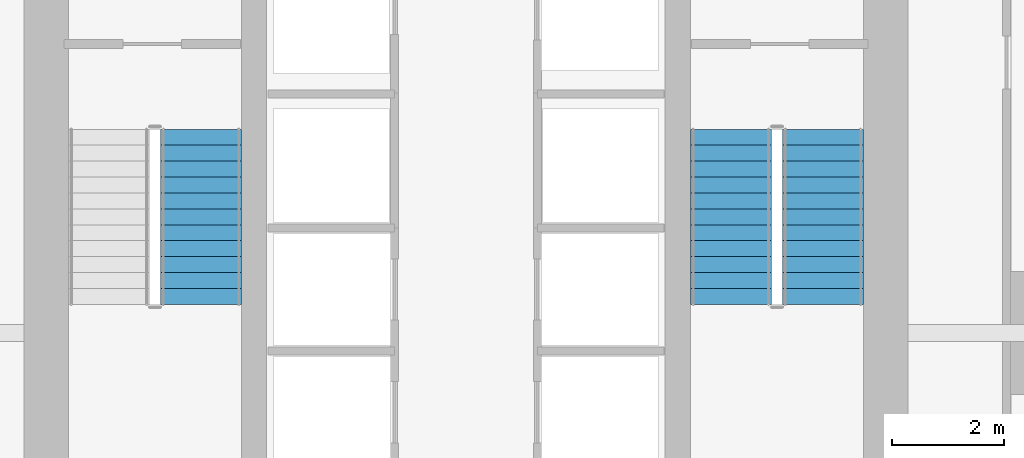
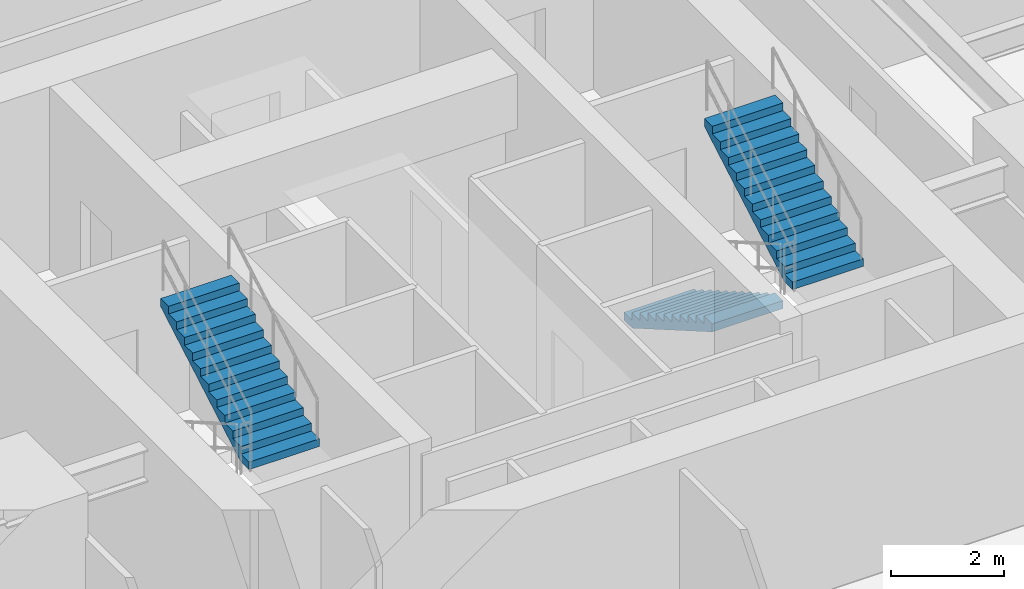
# One storey, part 27 of 30: 3 stair flights, 2 elements without a shape of their own.
"""IFC4 building model written with IfcOpenShell, lengths in metres."""

import ifcopenshell
import ifcopenshell.guid

model = None  # the IFC model being written
_history = None  # IfcOwnerHistory: only IFC2X3 demands one
_inside = {}  # id of a spatial element -> (the spatial element, [elements in it])
_under = {}  # id of a project, library or spatial element -> (it, [spatial elements below it])
_declared = {}  # id of a project -> (the project, [libraries it declares])
_typed = {}  # id of a type object -> (the type object, [elements of that type])
_made_of = {}  # id of a material, layer set ... -> (it, [elements and type objects made of it])


def new_model(schema):
    """Start an empty IFC model of exactly this schema.

    Asked for "IFC4X3", IfcOpenShell would pick the latest addendum, in which some entities
    have other attributes; the version numbers below select the first issue.
    IFC2X3 requires an IfcOwnerHistory on every rooted entity: one is made here for all.
    """
    global model, _history
    if schema == "IFC4X3":
        model = ifcopenshell.file(schema_version=(4, 3, 0, 0))
    else:
        model = ifcopenshell.file(schema=schema)
    _inside.clear()
    _under.clear()
    _declared.clear()
    _typed.clear()
    _made_of.clear()
    _history = None
    if model.schema == "IFC2X3":
        org = make("IfcOrganization", Name="unknown")
        user = make(
            "IfcPersonAndOrganization",
            ThePerson=make("IfcPerson", FamilyName="unknown"),
            TheOrganization=org,
        )
        app = make(
            "IfcApplication",
            ApplicationDeveloper=org,
            Version="unknown",
            ApplicationFullName="unknown",
            ApplicationIdentifier="unknown",
        )
        _history = make(
            "IfcOwnerHistory",
            OwningUser=user,
            OwningApplication=app,
            ChangeAction="ADDED",
            CreationDate=0,
        )
    return model


def make(cls, **values):
    """One entity of the class cls with the attributes given. An attribute that is None is left unset."""
    return model.create_entity(
        cls, **{name: value for name, value in values.items() if value is not None}
    )


def rooted(cls, **values):
    """An entity with a GlobalId (a new one), such as an element, a storey or a relation."""
    return make(cls, GlobalId=ifcopenshell.guid.new(), OwnerHistory=_history, **values)


def si_unit(unit_type, name, prefix=None):
    """IfcSIUnit, for example si_unit("LENGTHUNIT", "METRE", prefix="MILLI")."""
    return make("IfcSIUnit", UnitType=unit_type, Prefix=prefix, Name=name)


def assignment(units):
    """IfcUnitAssignment: the units of a project."""
    return None if units is None else make("IfcUnitAssignment", Units=units)


def point(xyz):
    """IfcCartesianPoint."""
    return None if xyz is None else make("IfcCartesianPoint", Coordinates=xyz)


def direction(xyz):
    """IfcDirection."""
    return None if xyz is None else make("IfcDirection", DirectionRatios=xyz)


def frame(location, z_axis=None, x_axis=None):
    """IfcAxis2Placement3D, a coordinate frame: its origin and axes. An axis left out is left unset."""
    return make(
        "IfcAxis2Placement3D",
        Location=point(location),
        Axis=direction(z_axis),
        RefDirection=direction(x_axis),
    )


def origin():
    """The frame at (0, 0, 0) with its axes left unset."""
    return frame((0.0, 0.0, 0.0))


def place(relative_to, where):
    """IfcLocalPlacement: puts the frame where relative to a parent placement (None: the world)."""
    return make(
        "IfcLocalPlacement", PlacementRelTo=relative_to, RelativePlacement=where
    )


def context(
    kind, dimensions, precision=None, world=None, true_north=None, identifier=None
):
    """IfcGeometricRepresentationContext, for example the 3D "Model" context."""
    return make(
        "IfcGeometricRepresentationContext",
        ContextIdentifier=identifier,
        ContextType=kind,
        CoordinateSpaceDimension=dimensions,
        Precision=precision,
        WorldCoordinateSystem=world,
        TrueNorth=true_north,
    )


def subcontext(parent, identifier, kind, view, scale=None):
    """IfcGeometricRepresentationSubContext, for example "Body" below "Model"."""
    return make(
        "IfcGeometricRepresentationSubContext",
        ContextIdentifier=identifier,
        ContextType=kind,
        ParentContext=parent,
        TargetScale=scale,
        TargetView=view,
    )


def project(units=None, contexts=None):
    """IfcProject with its units and contexts."""
    return rooted(
        "IfcProject",
        Name="project",
        RepresentationContexts=contexts,
        UnitsInContext=assignment(units),
    )


def spatial(cls, under=None, at=None, **own):
    """A site, building, storey or space (cls), placed at a placement, below another one or the project."""
    s = rooted(cls, ObjectPlacement=at, **own)
    if under is not None:
        _under.setdefault(under.id(), (under, []))[1].append(s)
    return s


def polyline(points):
    """IfcPolyline through the points."""
    return make("IfcPolyline", Points=[point(p) for p in points])


def outline(outer, holes=None, kind="AREA"):
    """IfcArbitraryClosedProfileDef: a profile drawn as a closed curve; with holes, ...WithVoids."""
    if holes is None:
        return make("IfcArbitraryClosedProfileDef", ProfileType=kind, OuterCurve=outer)
    return make(
        "IfcArbitraryProfileDefWithVoids",
        ProfileType=kind,
        OuterCurve=outer,
        InnerCurves=holes,
    )


def extrude(swept, where, along, depth):
    """IfcExtrudedAreaSolid: the profile swept, set in the frame where, extruded along a direction by depth."""
    return make(
        "IfcExtrudedAreaSolid",
        SweptArea=swept,
        Position=where,
        ExtrudedDirection=direction(along),
        Depth=depth,
    )


def shape(context_of_items, identifier, shape_type, items):
    """IfcShapeRepresentation: the items that make up one representation, for example the "Body"."""
    return make(
        "IfcShapeRepresentation",
        ContextOfItems=context_of_items,
        RepresentationIdentifier=identifier,
        RepresentationType=shape_type,
        Items=items,
    )


def material(Name=None, Category=None):
    """IfcMaterial."""
    return make("IfcMaterial", Name=Name, Category=Category)


def made_of(thing, what):
    """Note that an element or type object is made of a material, layer set ...; save() writes the relation."""
    if what is not None:
        _made_of.setdefault(what.id(), (what, []))[1].append(thing)
    return thing


def type_object(cls, material=None, **own):
    """A type object (cls), such as IfcWallType, which elements share."""
    return made_of(rooted(cls, **own), material)


def element(
    cls,
    number,
    at=None,
    inside=None,
    cuts=None,
    type_object=None,
    material=None,
    context=None,
    identifier="Body",
    shape_type=None,
    held_by="IfcProductDefinitionShape",
    body=None,
    shapes=None,
    **own,
):
    """One element of the class cls, such as IfcWall. Its Tag is "e" and its number.

    at: its placement. inside: the storey or other place that contains it. cuts: it is an
    opening in that element (IfcRelVoidsElement). A single representation is given by context,
    identifier, shape_type and body (its items); several are given by shapes. held_by: the class
    of the entity that holds the representations. save() writes the other relations.
    """
    e = rooted(cls, Tag="e%d" % number, ObjectPlacement=at, **own)
    if body is not None:
        shapes = [shape(context, identifier, shape_type, body)]
    if shapes is not None:
        e.Representation = make(held_by, Representations=shapes)
    if inside is not None:
        _inside.setdefault(inside.id(), (inside, []))[1].append(e)
    if cuts is not None:
        rooted(
            "IfcRelVoidsElement", RelatingBuildingElement=cuts, RelatedOpeningElement=e
        )
    if type_object is not None:
        _typed.setdefault(type_object.id(), (type_object, []))[1].append(e)
    return made_of(e, material)


def aggregate(whole, parts):
    """IfcRelAggregates: a whole, such as a stair, and the parts it consists of."""
    return rooted("IfcRelAggregates", RelatingObject=whole, RelatedObjects=parts)


def save(model, path):
    """Write the relations noted so far, then the file.

    IfcRelAggregates (storeys below a building ...), IfcRelContainedInSpatialStructure (elements
    in a storey), IfcRelDefinesByType, IfcRelAssociatesMaterial and IfcRelDeclares: one each for
    every whole, place, type object, material and project.
    """
    for whole, parts in _under.values():
        aggregate(whole, parts)
    for where, things in _inside.values():
        rooted(
            "IfcRelContainedInSpatialStructure",
            RelatedElements=things,
            RelatingStructure=where,
        )
    for kind, things in _typed.values():
        rooted("IfcRelDefinesByType", RelatedObjects=things, RelatingType=kind)
    for what, things in _made_of.values():
        rooted("IfcRelAssociatesMaterial", RelatedObjects=things, RelatingMaterial=what)
    for by, libraries in _declared.values():
        rooted("IfcRelDeclares", RelatingContext=by, RelatedDefinitions=libraries)
    model.write(path)


model = new_model("IFC4")

# Units and contexts
model_context = context("Model", 3, precision=1e-05, world=origin(), true_north=direction((0.0, 1.0)))
body_context = subcontext(model_context, "Body", "Model", "MODEL_VIEW")
ifc_project = project(units=[si_unit("LENGTHUNIT", "METRE"), si_unit("AREAUNIT", "SQUARE_METRE"), si_unit("VOLUMEUNIT", "CUBIC_METRE"), si_unit("PLANEANGLEUNIT", "RADIAN"), si_unit("MASSUNIT", "GRAM", prefix="KILO")], contexts=[model_context])

# Site, building, storey
site_placement = place(None, origin())
site = spatial("IfcSite", under=ifc_project, at=site_placement, CompositionType="ELEMENT")
building_placement = place(site_placement, origin())
building = spatial("IfcBuilding", under=site, at=building_placement, Name="Krantzveldt Concourse Tower", CompositionType="ELEMENT")
storey_placement = place(building_placement, frame((0.0, 0.0, 25.0)))
storey = spatial("IfcBuildingStorey", under=building, at=storey_placement, Name="L05", CompositionType="ELEMENT", Elevation=25.0)

# Stair, stair flight
ifc_material = material(Name="Precast concrete C40/50", Category="concrete")
stair_type = type_object("IfcStairType", Name="STR-CORE-DOGLEG", PredefinedType="HALF_TURN_STAIR", material=ifc_material)
stair_1_placement = place(storey_placement, origin())
stair_1 = element("IfcStair", 1, at=stair_1_placement, inside=storey, type_object=stair_type, Name="L05 Protected Escape Stair ST-1", PredefinedType="HALF_TURN_STAIR")
stair_flight_type = type_object("IfcStairFlightType", Name="STF-CORE-1450", PredefinedType="STRAIGHT", material=ifc_material)
stair_flight_1_placement = place(storey_placement, frame((31.2548828125, 16.4150390625, 1.97509765625), z_axis=(0.0, 0.0, 1.0), x_axis=(0.0, 1.0, 0.0)))
stair_flight_1 = element("IfcStairFlight", 2, at=stair_flight_1_placement, type_object=stair_flight_type, Name="ST-1 flight 2", NumberOfRisers=12, NumberOfTreads=11, PredefinedType="STRAIGHT", RiserHeight=0.164583333, TreadLength=0.285, context=body_context, shape_type="SweptSolid", body=[
    extrude(outline(polyline([(0.0, 0.0), (0.0, 0.16455078125), (0.284912109375, 0.16455078125), (0.284912109375, 0.3291015625), (0.570068359375, 0.3291015625), (0.570068359375, 0.49365234375), (0.85498046875, 0.49365234375), (0.85498046875, 0.658447265625), (1.139892578125, 0.658447265625), (1.139892578125, 0.822998046875), (1.425048828125, 0.822998046875), (1.425048828125, 0.987548828125), (1.7099609375, 0.987548828125), (1.7099609375, 1.152099609375), (1.9951171875, 1.152099609375), (1.9951171875, 1.316650390625), (2.280029296875, 1.316650390625), (2.280029296875, 1.481201171875), (2.56494140625, 1.481201171875), (2.56494140625, 1.645751953125), (2.85009765625, 1.645751953125), (2.85009765625, 1.810302734375), (3.135009765625, 1.810302734375), (3.135009765625, 1.97509765625), (3.135009765625, 1.63720703125), (0.2998046875, 0.0), (0.0, 0.0)])), frame((0.0, 0.72509765625, 0.0), z_axis=(0.0, -1.0, 0.0), x_axis=(1.0, 0.0, 0.0)), (0.0, 0.0, 1.0), 1.449951171875),
])
aggregate(stair_1, [stair_flight_1])

# Stair, stair flights
stair_2_placement = place(storey_placement, origin())
stair_2 = element("IfcStair", 3, at=stair_2_placement, inside=storey, type_object=stair_type, Name="L05 Protected Escape Stair ST-2", PredefinedType="HALF_TURN_STAIR")
stair_flight_2_placement = place(storey_placement, frame((40.7451171875, 19.550048828125, 0.0), z_axis=(0.0, 0.0, 1.0), x_axis=(0.0, -1.0, 0.0)))
stair_flight_2 = element("IfcStairFlight", 4, at=stair_flight_2_placement, type_object=stair_flight_type, Name="ST-2 flight 1", NumberOfRisers=12, NumberOfTreads=11, PredefinedType="STRAIGHT", RiserHeight=0.164583333, TreadLength=0.285, context=body_context, shape_type="SweptSolid", body=[
    extrude(outline(polyline([(0.0, 0.0), (0.0, 0.16455078125), (0.284912109375, 0.16455078125), (0.284912109375, 0.3291015625), (0.570068359375, 0.3291015625), (0.570068359375, 0.49365234375), (0.85498046875, 0.49365234375), (0.85498046875, 0.658447265625), (1.139892578125, 0.658447265625), (1.139892578125, 0.822998046875), (1.425048828125, 0.822998046875), (1.425048828125, 0.987548828125), (1.7099609375, 0.987548828125), (1.7099609375, 1.152099609375), (1.9951171875, 1.152099609375), (1.9951171875, 1.316650390625), (2.280029296875, 1.316650390625), (2.280029296875, 1.481201171875), (2.56494140625, 1.481201171875), (2.56494140625, 1.645751953125), (2.85009765625, 1.645751953125), (2.85009765625, 1.810302734375), (3.135009765625, 1.810302734375), (3.135009765625, 1.97509765625), (3.135009765625, 1.63720703125), (0.2998046875, 0.0), (0.0, 0.0)])), frame((0.0, 0.72509765625, 0.0), z_axis=(0.0, -1.0, 0.0), x_axis=(1.0, 0.0, 0.0)), (0.0, 0.0, 1.0), 1.449951171875),
])
stair_flight_3_placement = place(storey_placement, frame((42.39501953125, 16.4150390625, 1.97509765625), z_axis=(0.0, 0.0, 1.0), x_axis=(0.0, 1.0, 0.0)))
stair_flight_3 = element("IfcStairFlight", 5, at=stair_flight_3_placement, type_object=stair_flight_type, Name="ST-2 flight 2", NumberOfRisers=12, NumberOfTreads=11, PredefinedType="STRAIGHT", RiserHeight=0.164583333, TreadLength=0.285, context=body_context, shape_type="SweptSolid", body=[
    extrude(outline(polyline([(0.0, 0.0), (0.0, 0.16455078125), (0.284912109375, 0.16455078125), (0.284912109375, 0.3291015625), (0.570068359375, 0.3291015625), (0.570068359375, 0.49365234375), (0.85498046875, 0.49365234375), (0.85498046875, 0.658447265625), (1.139892578125, 0.658447265625), (1.139892578125, 0.822998046875), (1.425048828125, 0.822998046875), (1.425048828125, 0.987548828125), (1.7099609375, 0.987548828125), (1.7099609375, 1.152099609375), (1.9951171875, 1.152099609375), (1.9951171875, 1.316650390625), (2.280029296875, 1.316650390625), (2.280029296875, 1.481201171875), (2.56494140625, 1.481201171875), (2.56494140625, 1.645751953125), (2.85009765625, 1.645751953125), (2.85009765625, 1.810302734375), (3.135009765625, 1.810302734375), (3.135009765625, 1.97509765625), (3.135009765625, 1.63720703125), (0.2998046875, 0.0), (0.0, 0.0)])), frame((0.0, 0.72509765625, 0.0), z_axis=(0.0, -1.0, 0.0), x_axis=(1.0, 0.0, 0.0)), (0.0, 0.0, 1.0), 1.449951171875),
])
aggregate(stair_2, [stair_flight_2, stair_flight_3])

save(model, "model.ifc")
